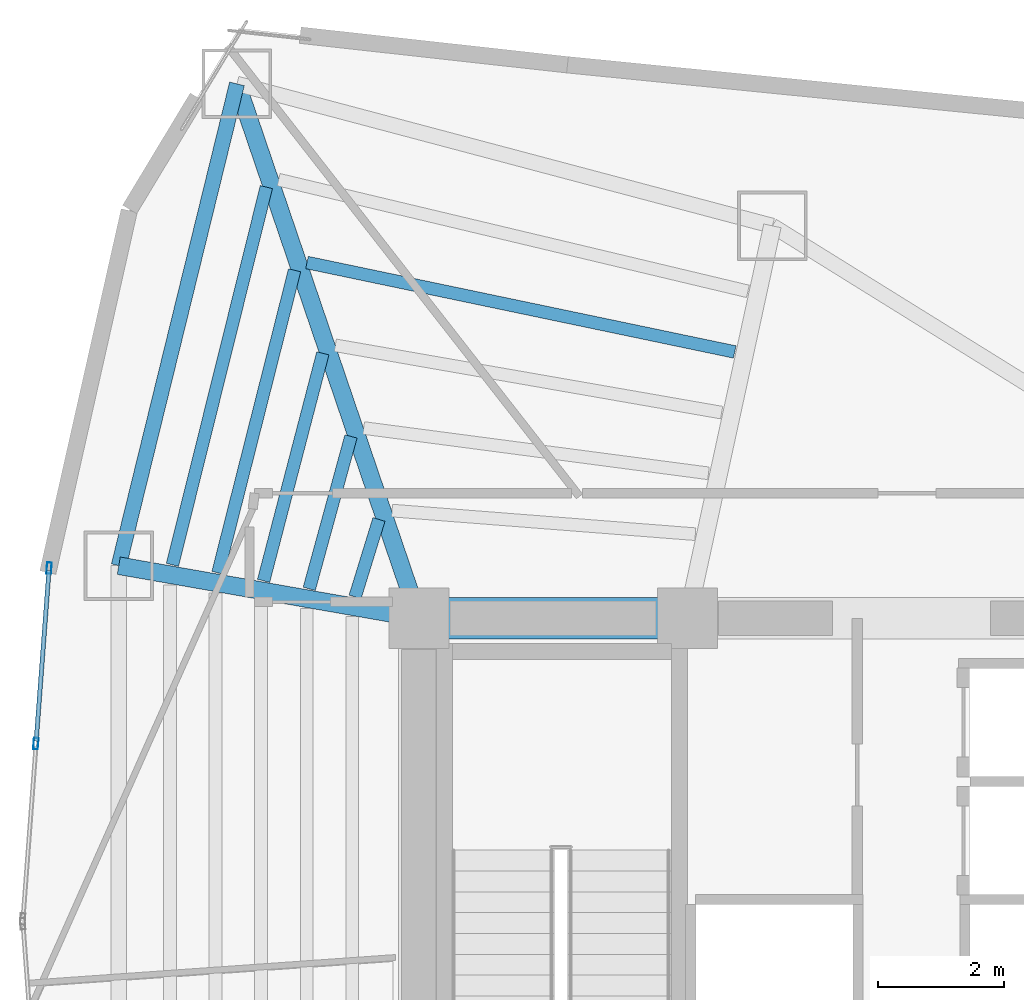
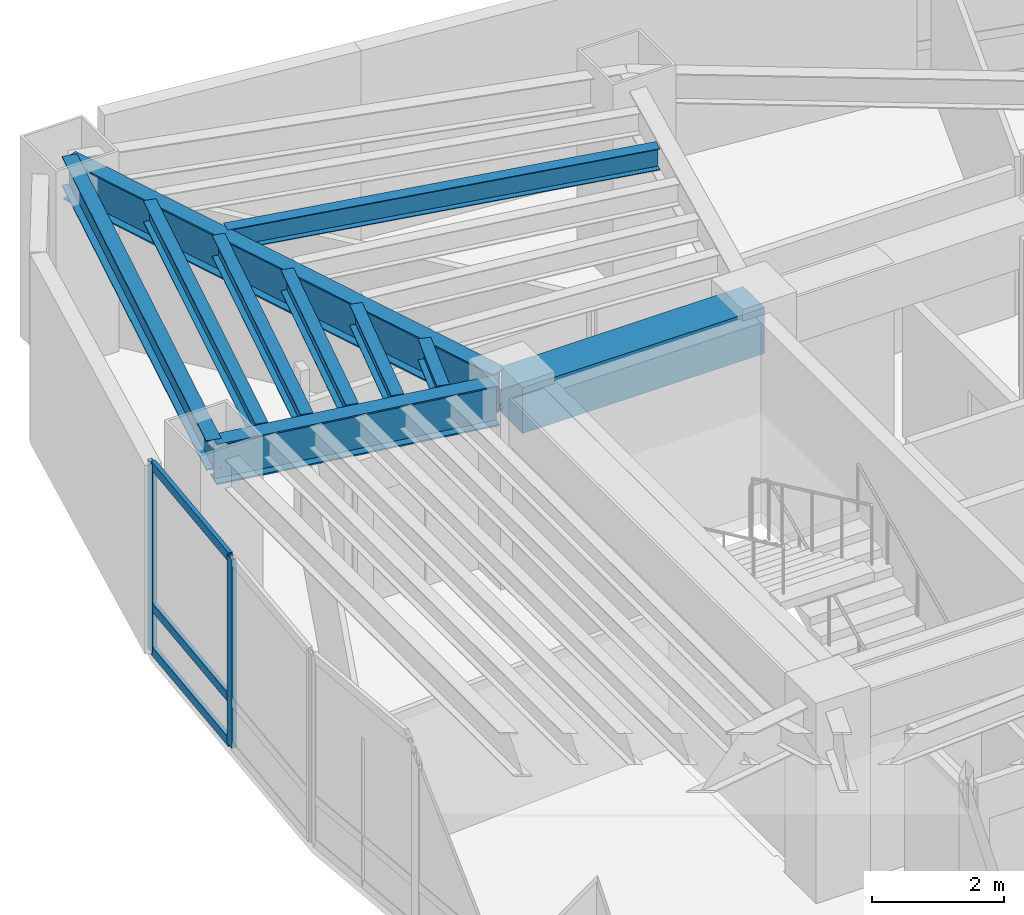
# One storey, part 7 of 18: 10 beams, 5 members, 1 element without a shape of its own.
"""IFC4 building model written with IfcOpenShell, lengths in metres."""

from ifc_helpers import new_model, si_unit, direction, frame, origin, origin_2d, place, context, subcontext, project, spatial, rectangle, hollow_rectangle, i_section, extrude, material, layer, layer_set, material_profile, profile_set, type_object, element, aggregate, save


model = new_model("IFC4")

# Units and contexts
model_context = context("Model", 3, precision=1e-05, world=origin(), true_north=direction((0.0, 1.0)))
body_context = subcontext(model_context, "Body", "Model", "MODEL_VIEW")
ifc_project = project(units=[si_unit("LENGTHUNIT", "METRE"), si_unit("AREAUNIT", "SQUARE_METRE"), si_unit("VOLUMEUNIT", "CUBIC_METRE"), si_unit("PLANEANGLEUNIT", "RADIAN"), si_unit("MASSUNIT", "GRAM", prefix="KILO")], contexts=[model_context])

# Site, building, storey
site_placement = place(None, origin())
site = spatial("IfcSite", under=ifc_project, at=site_placement, CompositionType="ELEMENT")
building_placement = place(site_placement, origin())
building = spatial("IfcBuilding", under=site, at=building_placement, Name="Menara Vayukalpa", CompositionType="ELEMENT")
storey_placement = place(building_placement, frame((0.0, 0.0, 161.760009765625)))
storey = spatial("IfcBuildingStorey", under=building, at=storey_placement, Name="L40", CompositionType="ELEMENT", Elevation=161.760009765625)

# Beams
ifc_material_1 = material(Name="Concrete C60/75", Category="concrete")
ifc_material_profile_1 = material_profile(ifc_material_1, rectangle(XDim=0.64990234375, YDim=0.85009765625, at=origin_2d()), Name="RC 650x850")
ifc_profile_set_1 = profile_set([ifc_material_profile_1], Name="Concrete C60/75")
beam_type_1 = type_object("IfcBeamType", Name="BM-CB1", PredefinedType="BEAM", material=ifc_profile_set_1)
beam_1_placement = place(storey_placement, frame((17.800048828125, 26.800048828125, 3.074951171875), z_axis=(1.0, 0.0, 0.0), x_axis=(0.0, 1.0, 0.0)))
element("IfcBeam", 1, at=beam_1_placement, inside=storey, type_object=beam_type_1, Name="L40 Core Tie Beam CBR4", PredefinedType="BEAM", context=body_context, shape_type="SweptSolid", body=[
    extrude(rectangle(XDim=0.64990234375, YDim=0.85009765625, at=origin_2d()), origin(), (0.0, 0.0, 1.0), 4.25),
])
ifc_material_2 = material(Name="Steel S355", Category="steel")
ifc_material_profile_2 = material_profile(ifc_material_2, i_section(OverallWidth=0.280029296875, OverallDepth=0.75, WebThickness=0.013916015625, FlangeThickness=0.02490234375, at=origin_2d()), Name="WF 750x280x14x25")
ifc_profile_set_2 = profile_set([ifc_material_profile_2], Name="Steel S355")
beam_type_2 = type_object("IfcBeamType", Name="BM-PG4", PredefinedType="BEAM", material=ifc_profile_set_2)
beam_2_placement = place(storey_placement, frame((17.719482421875, 27.03662109375, 3.125), z_axis=(-0.322207533072, 0.946669058136, 0.0), x_axis=(-0.946669058136, -0.322207533072, 0.0)))
element("IfcBeam", 2, at=beam_2_placement, inside=storey, type_object=beam_type_2, Name="L40 Primary Radial Girder RG04", PredefinedType="BEAM", context=body_context, shape_type="SweptSolid", body=[
    extrude(i_section(OverallWidth=0.280029296875, OverallDepth=0.75, WebThickness=0.013916015625, FlangeThickness=0.02490234375, at=origin_2d()), origin(), (0.0, 0.0, 1.0), 8.687255859375),
])
beam_3_placement = place(storey_placement, frame((17.5537109375, 26.843017578125, 3.125), z_axis=(-0.985011651805, 0.172487813505, 0.0), x_axis=(-0.172487813505, -0.985011651805, 0.0)))
element("IfcBeam", 3, at=beam_3_placement, inside=storey, type_object=beam_type_2, Name="L40 Primary Radial Girder RG05", PredefinedType="BEAM", context=body_context, shape_type="SweptSolid", body=[
    extrude(i_section(OverallWidth=0.280029296875, OverallDepth=0.75, WebThickness=0.013916015625, FlangeThickness=0.02490234375, at=origin_2d()), origin(), (0.0, 0.0, 1.0), 4.5732421875),
])
ifc_material_3 = material(Name="Steel S355", Category="steel")
ifc_material_profile_3 = material_profile(ifc_material_3, i_section(OverallWidth=0.199951171875, OverallDepth=0.39990234375, WebThickness=0.008056640625, FlangeThickness=0.012939453125, at=origin_2d()), Name="WF 400x200x8x13")
ifc_profile_set_3 = profile_set([ifc_material_profile_3], Name="Steel S355")
beam_type_3 = type_object("IfcBeamType", Name="BM-SJ2", PredefinedType="JOIST", material=ifc_profile_set_3)
beam_4_placement = place(storey_placement, frame((22.80029296875, 31.015625, 3.300048828125), z_axis=(-0.97882747282, 0.204687025611, 0.0), x_axis=(-0.204687025611, -0.97882747282, 0.0)))
element("IfcBeam", 4, at=beam_4_placement, inside=storey, type_object=beam_type_3, Name="L40 Secondary Floor Joist SJ03-4", PredefinedType="JOIST", context=body_context, shape_type="SweptSolid", body=[
    extrude(i_section(OverallWidth=0.199951171875, OverallDepth=0.39990234375, WebThickness=0.008056640625, FlangeThickness=0.012939453125, at=origin_2d()), origin(), (0.0, 0.0, 1.0), 6.91796875),
])
beam_5_placement = place(storey_placement, frame((17.16845703125, 28.364013671875, 3.300048828125), z_axis=(-0.294914687622, -0.955523587896, 0.0), x_axis=(0.955523587896, -0.294914687622, 0.0)))
element("IfcBeam", 5, at=beam_5_placement, inside=storey, type_object=beam_type_3, Name="L40 Secondary Floor Joist SJ04-1", PredefinedType="JOIST", context=body_context, shape_type="SweptSolid", body=[
    extrude(i_section(OverallWidth=0.199951171875, OverallDepth=0.39990234375, WebThickness=0.008056640625, FlangeThickness=0.012939453125, at=origin_2d()), origin(), (0.0, 0.0, 1.0), 1.283203125),
])
beam_6_placement = place(storey_placement, frame((16.7255859375, 29.678466796875, 3.300048828125), z_axis=(-0.264264990211, -0.96445011014, 0.0), x_axis=(0.96445011014, -0.264264990211, 0.0)))
element("IfcBeam", 6, at=beam_6_placement, inside=storey, type_object=beam_type_3, Name="L40 Secondary Floor Joist SJ04-2", PredefinedType="JOIST", context=body_context, shape_type="SweptSolid", body=[
    extrude(i_section(OverallWidth=0.199951171875, OverallDepth=0.39990234375, WebThickness=0.008056640625, FlangeThickness=0.012939453125, at=origin_2d()), origin(), (0.0, 0.0, 1.0), 2.501708984375),
])
beam_7_placement = place(storey_placement, frame((16.27978515625, 30.993896484375, 3.300048828125), z_axis=(-0.25203199701, -0.967718901584, 0.0), x_axis=(0.967718901584, -0.25203199701, 0.0)))
element("IfcBeam", 7, at=beam_7_placement, inside=storey, type_object=beam_type_3, Name="L40 Secondary Floor Joist SJ04-3", PredefinedType="JOIST", context=body_context, shape_type="SweptSolid", body=[
    extrude(i_section(OverallWidth=0.199951171875, OverallDepth=0.39990234375, WebThickness=0.008056640625, FlangeThickness=0.012939453125, at=origin_2d()), origin(), (0.0, 0.0, 1.0), 3.7216796875),
])
beam_8_placement = place(storey_placement, frame((15.8330078125, 32.309326171875, 3.300048828125), z_axis=(-0.245487100754, -0.969399857315, 0.0), x_axis=(0.969399857315, -0.245487100754, 0.0)))
element("IfcBeam", 8, at=beam_8_placement, inside=storey, type_object=beam_type_3, Name="L40 Secondary Floor Joist SJ04-4", PredefinedType="JOIST", context=body_context, shape_type="SweptSolid", body=[
    extrude(i_section(OverallWidth=0.199951171875, OverallDepth=0.39990234375, WebThickness=0.008056640625, FlangeThickness=0.012939453125, at=origin_2d()), origin(), (0.0, 0.0, 1.0), 4.941650390625),
])
beam_9_placement = place(storey_placement, frame((15.3857421875, 33.625, 3.300048828125), z_axis=(-0.241360851184, -0.970435438098, 0.0), x_axis=(0.970435438098, -0.241360851184, 0.0)))
element("IfcBeam", 9, at=beam_9_placement, inside=storey, type_object=beam_type_3, Name="L40 Secondary Floor Joist SJ04-5", PredefinedType="JOIST", context=body_context, shape_type="SweptSolid", body=[
    extrude(i_section(OverallWidth=0.199951171875, OverallDepth=0.39990234375, WebThickness=0.008056640625, FlangeThickness=0.012939453125, at=origin_2d()), origin(), (0.0, 0.0, 1.0), 6.162109375),
])
ifc_material_4 = material(Name="Steel S355", Category="steel")
ifc_material_profile_4 = material_profile(ifc_material_4, i_section(OverallWidth=0.239990234375, OverallDepth=0.550048828125, WebThickness=0.010986328125, FlangeThickness=0.01904296875, at=origin_2d()), Name="WF 550x240x11x19")
ifc_profile_set_4 = profile_set([ifc_material_profile_4], Name="Steel S355")
beam_type_4 = type_object("IfcBeamType", Name="BM-SP2", PredefinedType="SPANDREL", material=ifc_profile_set_4)
beam_10_placement = place(storey_placement, frame((14.92041015625, 35.260498046875, 3.22509765625), z_axis=(-0.238240335346, -0.971206230733, 0.0), x_axis=(0.971206230733, -0.238240335346, 0.0)))
element("IfcBeam", 10, at=beam_10_placement, inside=storey, type_object=beam_type_4, Name="L40 Perimeter Spandrel Beam SP04", PredefinedType="SPANDREL", context=body_context, shape_type="SweptSolid", body=[
    extrude(i_section(OverallWidth=0.239990234375, OverallDepth=0.550048828125, WebThickness=0.010986328125, FlangeThickness=0.01904296875, at=origin_2d()), origin(), (0.0, 0.0, 1.0), 7.854736328125),
])

# Curtain wall, members
ifc_material_5 = material(Name="Anodised Terracotta Aluminium Alloy 6063-T6", Category="masonry")
ifc_layer = layer(ifc_material_5, 0.179931640625)
ifc_layer_set = layer_set([ifc_layer], Name="Anodised Terracotta Aluminium Alloy 6063-T6")
curtain_wall_type = type_object("IfcCurtainWallType", Name="CW-CW4", PredefinedType="USERDEFINED", material=ifc_layer_set)
curtain_wall_placement = place(storey_placement, origin())
curtain_wall = element("IfcCurtainWall", 11, at=curtain_wall_placement, inside=storey, type_object=curtain_wall_type, Name="L40 Sky Bar Cantilever Glazed Curtain Wall CW4 10", ObjectType="UNITISED", PredefinedType="USERDEFINED")
ifc_material_6 = material(Name="Anodised Terracotta Aluminium Alloy 6063-T6", Category="masonry")
ifc_material_profile_5 = material_profile(ifc_material_6, hollow_rectangle(XDim=0.074951171875, YDim=0.179931640625, WallThickness=0.00390625, at=origin_2d()), Name="ALU 75x180x4")
ifc_profile_set_5 = profile_set([ifc_material_profile_5], Name="Anodised Terracotta Aluminium Alloy 6063-T6")
member_type_1 = type_object("IfcMemberType", Name="CWM-CW4", PredefinedType="MULLION", material=ifc_profile_set_5)
member_1_placement = place(storey_placement, frame((11.9462890625, 27.594482421875, 0.0), z_axis=(0.0, 0.0, 1.0), x_axis=(0.997199111801, -0.074792589364, 0.0)))
member_1 = element("IfcMember", 12, at=member_1_placement, type_object=member_type_1, Name="CW4 mullion 1", PredefinedType="MULLION", context=body_context, shape_type="SweptSolid", body=[
    extrude(hollow_rectangle(XDim=0.074951171875, YDim=0.179931640625, WallThickness=0.00390625, at=origin_2d()), origin(), (0.0, 0.0, 1.0), 3.5),
])
member_2_placement = place(storey_placement, frame((11.73779296875, 24.81591796875, 0.0), z_axis=(0.0, 0.0, 1.0), x_axis=(0.997199111801, -0.074792589364, 0.0)))
member_2 = element("IfcMember", 13, at=member_2_placement, type_object=member_type_1, Name="CW4 mullion 2", PredefinedType="MULLION", context=body_context, shape_type="SweptSolid", body=[
    extrude(hollow_rectangle(XDim=0.074951171875, YDim=0.179931640625, WallThickness=0.00390625, at=origin_2d()), origin(), (0.0, 0.0, 1.0), 3.5),
])
ifc_material_7 = material(Name="Anodised Terracotta Aluminium Alloy 6063-T6", Category="masonry")
ifc_material_profile_6 = material_profile(ifc_material_7, hollow_rectangle(XDim=0.070068359375, YDim=0.1650390625, WallThickness=0.00390625, at=origin_2d()), Name="ALU 70x165x4")
ifc_profile_set_6 = profile_set([ifc_material_profile_6], Name="Anodised Terracotta Aluminium Alloy 6063-T6")
member_type_2 = type_object("IfcMemberType", Name="CWT-CW4", PredefinedType="USERDEFINED", material=ifc_profile_set_6)
member_3_placement = place(storey_placement, frame((11.943603515625, 27.55712890625, 0.034912109375), z_axis=(-0.074823524461, -0.997196791104, 0.0), x_axis=(0.997196791104, -0.074823524461, 0.0)))
member_3 = element("IfcMember", 14, at=member_3_placement, type_object=member_type_2, Name="CW4 transom 1.1", ObjectType="TRANSOM", PredefinedType="USERDEFINED", context=body_context, shape_type="SweptSolid", body=[
    extrude(hollow_rectangle(XDim=0.070068359375, YDim=0.1650390625, WallThickness=0.00390625, at=origin_2d()), origin(), (0.0, 0.0, 1.0), 2.71142578125),
])
member_4_placement = place(storey_placement, frame((11.943603515625, 27.55712890625, 0.85009765625), z_axis=(-0.074823524461, -0.997196791104, 0.0), x_axis=(0.997196791104, -0.074823524461, 0.0)))
member_4 = element("IfcMember", 15, at=member_4_placement, type_object=member_type_2, Name="CW4 transom 1.2", ObjectType="TRANSOM", PredefinedType="USERDEFINED", context=body_context, shape_type="SweptSolid", body=[
    extrude(hollow_rectangle(XDim=0.070068359375, YDim=0.1650390625, WallThickness=0.00390625, at=origin_2d()), origin(), (0.0, 0.0, 1.0), 2.71142578125),
])
member_5_placement = place(storey_placement, frame((11.943603515625, 27.55712890625, 3.465087890625), z_axis=(-0.074823524461, -0.997196791104, 0.0), x_axis=(0.997196791104, -0.074823524461, 0.0)))
member_5 = element("IfcMember", 16, at=member_5_placement, type_object=member_type_2, Name="CW4 transom 1.3", ObjectType="TRANSOM", PredefinedType="USERDEFINED", context=body_context, shape_type="SweptSolid", body=[
    extrude(hollow_rectangle(XDim=0.070068359375, YDim=0.1650390625, WallThickness=0.00390625, at=origin_2d()), origin(), (0.0, 0.0, 1.0), 2.71142578125),
])
aggregate(curtain_wall, [member_1, member_2, member_3, member_4, member_5])

save(model, "model.ifc")
